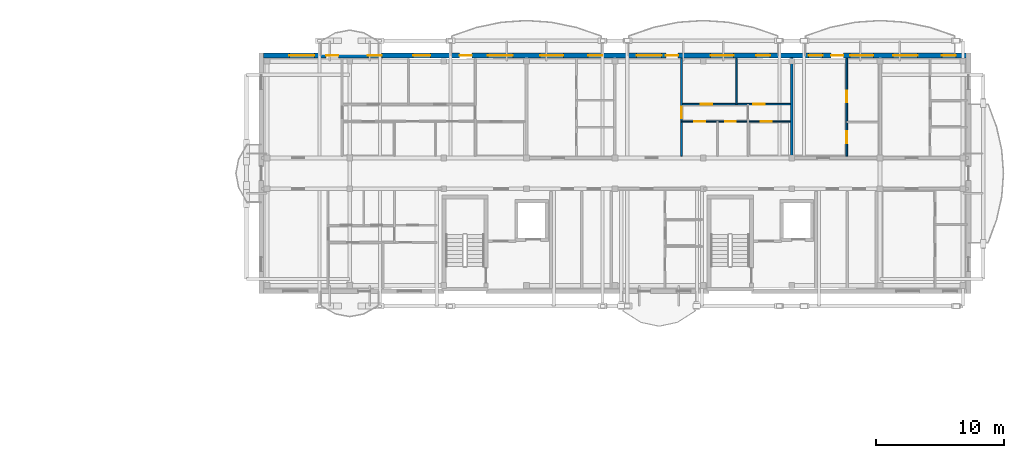
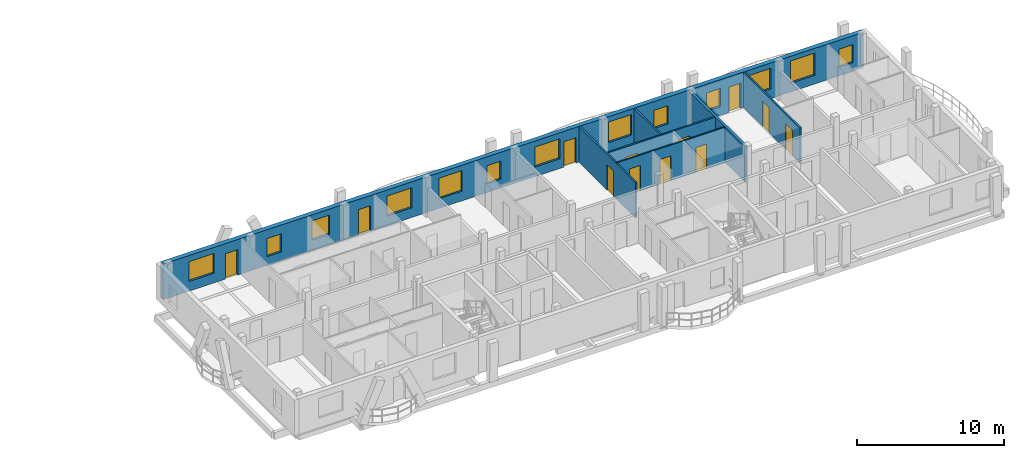
# One storey, part 34 of 48: 13 windows, 12 doors, 7 walls, 25 openings.
"""IFC4 building model written with IfcOpenShell, lengths in metres."""

from ifc_helpers import new_model, si_unit, direction, frame, frame_2d, origin, origin_with_axes, place, context, subcontext, project, spatial, rectangle, extrude, material, layer, layer_set, type_object, element, fill, save


model = new_model("IFC4")

# Units and contexts
model_context = context("Model", 3, precision=1e-05, world=origin(), true_north=direction((0.0, 1.0)))
body_context = subcontext(model_context, "Body", "Model", "MODEL_VIEW")
ifc_project = project(units=[si_unit("LENGTHUNIT", "METRE"), si_unit("AREAUNIT", "SQUARE_METRE"), si_unit("VOLUMEUNIT", "CUBIC_METRE"), si_unit("PLANEANGLEUNIT", "RADIAN"), si_unit("MASSUNIT", "GRAM", prefix="KILO")], contexts=[model_context])

# Site, building, storey
site_placement = place(None, origin())
site = spatial("IfcSite", under=ifc_project, at=site_placement, CompositionType="ELEMENT")
building_placement = place(site_placement, origin())
building = spatial("IfcBuilding", under=site, at=building_placement, Name="Zavelmont Quarter", CompositionType="ELEMENT")
storey_placement = place(building_placement, frame((0.0, 0.0, 17.60009765625)))
storey = spatial("IfcBuildingStorey", under=building, at=storey_placement, Name="L05", CompositionType="ELEMENT", Elevation=17.60009765625)

# Wall, openings, doors, windows
ifc_material_1 = material(Name="Natural Belgian limestone", Category="masonry")
ifc_layer_1 = layer(ifc_material_1, 0.360107421875)
ifc_layer_set_1 = layer_set([ifc_layer_1], Name="Natural Belgian limestone")
wall_type_1 = type_object("IfcWallType", Name="EW02", PredefinedType="STANDARD", material=ifc_layer_set_1)
wall_1_placement = place(storey_placement, frame((112.969970703125, 116.0, 0.0), z_axis=(0.0, 0.0, 1.0), x_axis=(1.0, 0.0, 0.0)))
wall_1 = element("IfcWall", 1, at=wall_1_placement, inside=storey, type_object=wall_type_1, Name="L05 exterior limestone wall EW02", PredefinedType="STANDARD", context=body_context, shape_type="SweptSolid", body=[
    extrude(rectangle(XDim=54.860107421875, YDim=0.360107421875, at=frame_2d((27.43017578125, 0.0))), origin(), (0.0, 0.0, 1.0), 2.949951171875),
])
opening_1_placement = place(wall_1_placement, frame((4.891357421875, 0.0, 0.0)))
opening_1 = element("IfcOpeningElement", 2, at=opening_1_placement, cuts=wall_1, Name="Opening DR04", PredefinedType="OPENING", context=body_context, shape_type="SweptSolid", body=[
    extrude(rectangle(XDim=0.949951171875, YDim=2.10009765625, at=frame_2d((0.47509765625, 1.050048828125))), frame((0.0, 0.19189453125, 0.0), z_axis=(0.0, -1.0, 0.0), x_axis=(1.0, 0.0, 0.0)), (0.0, 0.0, 1.0), 0.384033203125),
])
opening_2_placement = place(wall_1_placement, frame((15.308837890625, 0.0, 0.0)))
opening_2 = element("IfcOpeningElement", 3, at=opening_2_placement, cuts=wall_1, Name="Opening DR04", PredefinedType="OPENING", context=body_context, shape_type="SweptSolid", body=[
    extrude(rectangle(XDim=0.949951171875, YDim=2.10009765625, at=frame_2d((0.47509765625, 1.050048828125))), frame((0.0, 0.19189453125, 0.0), z_axis=(0.0, -1.0, 0.0), x_axis=(1.0, 0.0, 0.0)), (0.0, 0.0, 1.0), 0.384033203125),
])
opening_3_placement = place(wall_1_placement, frame((31.40869140625, 0.0, 0.0)))
opening_3 = element("IfcOpeningElement", 4, at=opening_3_placement, cuts=wall_1, Name="Opening DR04", PredefinedType="OPENING", context=body_context, shape_type="SweptSolid", body=[
    extrude(rectangle(XDim=0.949951171875, YDim=2.10009765625, at=frame_2d((0.47509765625, 1.050048828125))), frame((0.0, 0.19189453125, 0.0), z_axis=(0.0, -1.0, 0.0), x_axis=(1.0, 0.0, 0.0)), (0.0, 0.0, 1.0), 0.384033203125),
])
opening_4_placement = place(wall_1_placement, frame((44.308837890625, 0.0, 0.0)))
opening_4 = element("IfcOpeningElement", 5, at=opening_4_placement, cuts=wall_1, Name="Opening DR04", PredefinedType="OPENING", context=body_context, shape_type="SweptSolid", body=[
    extrude(rectangle(XDim=0.949951171875, YDim=2.10009765625, at=frame_2d((0.47509765625, 1.050048828125))), frame((0.0, 0.19189453125, 0.0), z_axis=(0.0, -1.0, 0.0), x_axis=(1.0, 0.0, 0.0)), (0.0, 0.0, 1.0), 0.384033203125),
])
opening_5_placement = place(wall_1_placement, frame((2.02490234375, 0.0, 0.800048828125)))
opening_5 = element("IfcOpeningElement", 6, at=opening_5_placement, cuts=wall_1, Name="Opening WN24", PredefinedType="OPENING", context=body_context, shape_type="SweptSolid", body=[
    extrude(rectangle(XDim=1.949951171875, YDim=1.64990234375, at=frame_2d((0.97509765625, 0.824951171875))), frame((0.0, 0.19189453125, 0.0), z_axis=(0.0, -1.0, 0.0), x_axis=(1.0, 0.0, 0.0)), (0.0, 0.0, 1.0), 0.384033203125),
])
opening_6_placement = place(wall_1_placement, frame((8.14990234375, 0.0, 0.719970703125)))
opening_6 = element("IfcOpeningElement", 7, at=opening_6_placement, cuts=wall_1, Name="Opening WN09", PredefinedType="OPENING", context=body_context, shape_type="SweptSolid", body=[
    extrude(rectangle(XDim=1.10009765625, YDim=1.5, at=frame_2d((0.550048828125, 0.75))), frame((0.0, 0.19189453125, 0.0), z_axis=(0.0, -1.0, 0.0), x_axis=(1.0, 0.0, 0.0)), (0.0, 0.0, 1.0), 0.384033203125),
])
opening_7_placement = place(wall_1_placement, frame((11.675048828125, 0.0, 0.85009765625)))
opening_7 = element("IfcOpeningElement", 8, at=opening_7_placement, cuts=wall_1, Name="Opening WN08", PredefinedType="OPENING", context=body_context, shape_type="SweptSolid", body=[
    extrude(rectangle(XDim=1.35009765625, YDim=1.60009765625, at=frame_2d((0.675048828125, 0.800048828125))), frame((0.0, 0.19189453125, 0.0), z_axis=(0.0, -1.0, 0.0), x_axis=(1.0, 0.0, 0.0)), (0.0, 0.0, 1.0), 0.384033203125),
])
opening_8_placement = place(wall_1_placement, frame((17.52490234375, 0.0, 0.800048828125)))
opening_8 = element("IfcOpeningElement", 9, at=opening_8_placement, cuts=wall_1, Name="Opening WN24", PredefinedType="OPENING", context=body_context, shape_type="SweptSolid", body=[
    extrude(rectangle(XDim=1.949951171875, YDim=1.64990234375, at=frame_2d((0.97509765625, 0.824951171875))), frame((0.0, 0.19189453125, 0.0), z_axis=(0.0, -1.0, 0.0), x_axis=(1.0, 0.0, 0.0)), (0.0, 0.0, 1.0), 0.384033203125),
])
opening_9_placement = place(wall_1_placement, frame((21.60009765625, 0.0, 0.800048828125)))
opening_9 = element("IfcOpeningElement", 10, at=opening_9_placement, cuts=wall_1, Name="Opening WN02", PredefinedType="OPENING", context=body_context, shape_type="SweptSolid", body=[
    extrude(rectangle(XDim=1.800048828125, YDim=1.699951171875, at=frame_2d((0.89990234375, 0.85009765625))), frame((0.0, 0.19189453125, 0.0), z_axis=(0.0, -1.0, 0.0), x_axis=(1.0, 0.0, 0.0)), (0.0, 0.0, 1.0), 0.384033203125),
])
opening_10_placement = place(wall_1_placement, frame((25.35009765625, 0.0, 0.719970703125)))
opening_10 = element("IfcOpeningElement", 11, at=opening_10_placement, cuts=wall_1, Name="Opening WN09", PredefinedType="OPENING", context=body_context, shape_type="SweptSolid", body=[
    extrude(rectangle(XDim=1.10009765625, YDim=1.5, at=frame_2d((0.550048828125, 0.75))), frame((0.0, 0.19189453125, 0.0), z_axis=(0.0, -1.0, 0.0), x_axis=(1.0, 0.0, 0.0)), (0.0, 0.0, 1.0), 0.384033203125),
])
opening_11_placement = place(wall_1_placement, frame((29.125, 0.0, 0.800048828125)))
opening_11 = element("IfcOpeningElement", 12, at=opening_11_placement, cuts=wall_1, Name="Opening WN24", PredefinedType="OPENING", context=body_context, shape_type="SweptSolid", body=[
    extrude(rectangle(XDim=1.949951171875, YDim=1.64990234375, at=frame_2d((0.97509765625, 0.824951171875))), frame((0.0, 0.19189453125, 0.0), z_axis=(0.0, -1.0, 0.0), x_axis=(1.0, 0.0, 0.0)), (0.0, 0.0, 1.0), 0.384033203125),
])
opening_12_placement = place(wall_1_placement, frame((34.89990234375, 0.0, 0.800048828125)))
opening_12 = element("IfcOpeningElement", 13, at=opening_12_placement, cuts=wall_1, Name="Opening WN02", PredefinedType="OPENING", context=body_context, shape_type="SweptSolid", body=[
    extrude(rectangle(XDim=1.800048828125, YDim=1.699951171875, at=frame_2d((0.89990234375, 0.85009765625))), frame((0.0, 0.19189453125, 0.0), z_axis=(0.0, -1.0, 0.0), x_axis=(1.0, 0.0, 0.0)), (0.0, 0.0, 1.0), 0.384033203125),
])
opening_13_placement = place(wall_1_placement, frame((38.449951171875, 0.0, 0.719970703125)))
opening_13 = element("IfcOpeningElement", 14, at=opening_13_placement, cuts=wall_1, Name="Opening WN09", PredefinedType="OPENING", context=body_context, shape_type="SweptSolid", body=[
    extrude(rectangle(XDim=1.10009765625, YDim=1.5, at=frame_2d((0.550048828125, 0.75))), frame((0.0, 0.19189453125, 0.0), z_axis=(0.0, -1.0, 0.0), x_axis=(1.0, 0.0, 0.0)), (0.0, 0.0, 1.0), 0.384033203125),
])
opening_14_placement = place(wall_1_placement, frame((42.550048828125, 0.0, 0.719970703125)))
opening_14 = element("IfcOpeningElement", 15, at=opening_14_placement, cuts=wall_1, Name="Opening WN09", PredefinedType="OPENING", context=body_context, shape_type="SweptSolid", body=[
    extrude(rectangle(XDim=1.10009765625, YDim=1.5, at=frame_2d((0.550048828125, 0.75))), frame((0.0, 0.19189453125, 0.0), z_axis=(0.0, -1.0, 0.0), x_axis=(1.0, 0.0, 0.0)), (0.0, 0.0, 1.0), 0.384033203125),
])
opening_15_placement = place(wall_1_placement, frame((45.800048828125, 0.0, 0.800048828125)))
opening_15 = element("IfcOpeningElement", 16, at=opening_15_placement, cuts=wall_1, Name="Opening WN02", PredefinedType="OPENING", context=body_context, shape_type="SweptSolid", body=[
    extrude(rectangle(XDim=1.800048828125, YDim=1.699951171875, at=frame_2d((0.89990234375, 0.85009765625))), frame((0.0, 0.19189453125, 0.0), z_axis=(0.0, -1.0, 0.0), x_axis=(1.0, 0.0, 0.0)), (0.0, 0.0, 1.0), 0.384033203125),
])
opening_16_placement = place(wall_1_placement, frame((49.14990234375, 0.0, 0.719970703125)))
opening_16 = element("IfcOpeningElement", 17, at=opening_16_placement, cuts=wall_1, Name="Opening WN20", PredefinedType="OPENING", context=body_context, shape_type="SweptSolid", body=[
    extrude(rectangle(XDim=1.89990234375, YDim=1.85009765625, at=frame_2d((0.949951171875, 0.925048828125))), frame((0.0, 0.19189453125, 0.0), z_axis=(0.0, -1.0, 0.0), x_axis=(1.0, 0.0, 0.0)), (0.0, 0.0, 1.0), 0.384033203125),
])
opening_17_placement = place(wall_1_placement, frame((52.949951171875, 0.0, 0.719970703125)))
opening_17 = element("IfcOpeningElement", 18, at=opening_17_placement, cuts=wall_1, Name="Opening WN09", PredefinedType="OPENING", context=body_context, shape_type="SweptSolid", body=[
    extrude(rectangle(XDim=1.10009765625, YDim=1.5, at=frame_2d((0.550048828125, 0.75))), frame((0.0, 0.19189453125, 0.0), z_axis=(0.0, -1.0, 0.0), x_axis=(1.0, 0.0, 0.0)), (0.0, 0.0, 1.0), 0.384033203125),
])
ifc_material_2 = material(Name="Thermally broken aluminium and double safety glass", Category="aluminium")
door_type_1 = type_object("IfcDoorType", Name="DR04", OperationType="NOTDEFINED", PredefinedType="DOOR", material=ifc_material_2)
door_1_placement = place(opening_1_placement, frame((0.949951171875, 0.0, 0.0), z_axis=(0.0, 0.0, 1.0), x_axis=(-1.0, 0.0, 0.0)))
door_1 = element("IfcDoor", 19, at=door_1_placement, inside=storey, type_object=door_type_1, Name="Block C L05 glazed balcony door", OperationType="SINGLE_SWING_LEFT", OverallHeight=2.10009765625, OverallWidth=0.949951171875, PredefinedType="DOOR", context=body_context, shape_type="SweptSolid", body=[
    extrude(rectangle(XDim=0.949951171875, YDim=2.10009765625, at=frame_2d((0.47509765625, 1.050048828125))), frame((0.0, 0.02490234375, 0.0), z_axis=(0.0, -1.0, 0.0), x_axis=(1.0, 0.0, 0.0)), (0.0, 0.0, 1.0), 0.050048828125),
])
fill(opening_1, door_1)
door_2_placement = place(opening_2_placement, frame((0.949951171875, 0.0, 0.0), z_axis=(0.0, 0.0, 1.0), x_axis=(-1.0, 0.0, 0.0)))
door_2 = element("IfcDoor", 20, at=door_2_placement, inside=storey, type_object=door_type_1, Name="Block C L05 glazed balcony door", OperationType="SINGLE_SWING_LEFT", OverallHeight=2.10009765625, OverallWidth=0.949951171875, PredefinedType="DOOR", context=body_context, shape_type="SweptSolid", body=[
    extrude(rectangle(XDim=0.949951171875, YDim=2.10009765625, at=frame_2d((0.47509765625, 1.050048828125))), frame((0.0, 0.02490234375, 0.0), z_axis=(0.0, -1.0, 0.0), x_axis=(1.0, 0.0, 0.0)), (0.0, 0.0, 1.0), 0.050048828125),
])
fill(opening_2, door_2)
door_3_placement = place(opening_3_placement, frame((0.949951171875, 0.0, 0.0), z_axis=(0.0, 0.0, 1.0), x_axis=(-1.0, 0.0, 0.0)))
door_3 = element("IfcDoor", 21, at=door_3_placement, inside=storey, type_object=door_type_1, Name="Block C L05 glazed balcony door", OperationType="SINGLE_SWING_LEFT", OverallHeight=2.10009765625, OverallWidth=0.949951171875, PredefinedType="DOOR", context=body_context, shape_type="SweptSolid", body=[
    extrude(rectangle(XDim=0.949951171875, YDim=2.10009765625, at=frame_2d((0.47509765625, 1.050048828125))), frame((0.0, 0.02490234375, 0.0), z_axis=(0.0, -1.0, 0.0), x_axis=(1.0, 0.0, 0.0)), (0.0, 0.0, 1.0), 0.050048828125),
])
fill(opening_3, door_3)
door_4_placement = place(opening_4_placement, frame((0.949951171875, 0.0, 0.0), z_axis=(0.0, 0.0, 1.0), x_axis=(-1.0, 0.0, 0.0)))
door_4 = element("IfcDoor", 22, at=door_4_placement, inside=storey, type_object=door_type_1, Name="Block C L05 glazed balcony door", OperationType="SINGLE_SWING_LEFT", OverallHeight=2.10009765625, OverallWidth=0.949951171875, PredefinedType="DOOR", context=body_context, shape_type="SweptSolid", body=[
    extrude(rectangle(XDim=0.949951171875, YDim=2.10009765625, at=frame_2d((0.47509765625, 1.050048828125))), frame((0.0, 0.02490234375, 0.0), z_axis=(0.0, -1.0, 0.0), x_axis=(1.0, 0.0, 0.0)), (0.0, 0.0, 1.0), 0.050048828125),
])
fill(opening_4, door_4)
ifc_material_3 = material(Name="Double low-E insulated glazing in thermally broken aluminium frame", Category="aluminium")
window_type_1 = type_object("IfcWindowType", Name="WN02", PartitioningType="SINGLE_PANEL", PredefinedType="WINDOW", material=ifc_material_3)
window_1_placement = place(opening_9_placement, origin_with_axes())
window_1 = element("IfcWindow", 23, at=window_1_placement, inside=storey, type_object=window_type_1, Name="L05 window WN02", OverallHeight=1.699951171875, OverallWidth=1.800048828125, PartitioningType="SINGLE_PANEL", PredefinedType="WINDOW", context=body_context, shape_type="SweptSolid", body=[
    extrude(rectangle(XDim=1.800048828125, YDim=1.699951171875, at=frame_2d((0.89990234375, 0.85009765625))), frame((0.0, 0.030029296875, 0.0), z_axis=(0.0, -1.0, 0.0), x_axis=(1.0, 0.0, 0.0)), (0.0, 0.0, 1.0), 0.06005859375),
])
fill(opening_9, window_1)
window_2_placement = place(opening_12_placement, origin_with_axes())
window_2 = element("IfcWindow", 24, at=window_2_placement, inside=storey, type_object=window_type_1, Name="L05 window WN02", OverallHeight=1.699951171875, OverallWidth=1.800048828125, PartitioningType="SINGLE_PANEL", PredefinedType="WINDOW", context=body_context, shape_type="SweptSolid", body=[
    extrude(rectangle(XDim=1.800048828125, YDim=1.699951171875, at=frame_2d((0.89990234375, 0.85009765625))), frame((0.0, 0.030029296875, 0.0), z_axis=(0.0, -1.0, 0.0), x_axis=(1.0, 0.0, 0.0)), (0.0, 0.0, 1.0), 0.06005859375),
])
fill(opening_12, window_2)
window_3_placement = place(opening_15_placement, origin_with_axes())
window_3 = element("IfcWindow", 25, at=window_3_placement, inside=storey, type_object=window_type_1, Name="L05 window WN02", OverallHeight=1.699951171875, OverallWidth=1.800048828125, PartitioningType="SINGLE_PANEL", PredefinedType="WINDOW", context=body_context, shape_type="SweptSolid", body=[
    extrude(rectangle(XDim=1.800048828125, YDim=1.699951171875, at=frame_2d((0.89990234375, 0.85009765625))), frame((0.0, 0.030029296875, 0.0), z_axis=(0.0, -1.0, 0.0), x_axis=(1.0, 0.0, 0.0)), (0.0, 0.0, 1.0), 0.06005859375),
])
fill(opening_15, window_3)
window_type_2 = type_object("IfcWindowType", Name="WN08", PartitioningType="SINGLE_PANEL", PredefinedType="WINDOW", material=ifc_material_3)
window_4_placement = place(opening_7_placement, origin_with_axes())
window_4 = element("IfcWindow", 26, at=window_4_placement, inside=storey, type_object=window_type_2, Name="L05 window WN08", OverallHeight=1.60009765625, OverallWidth=1.35009765625, PartitioningType="SINGLE_PANEL", PredefinedType="WINDOW", context=body_context, shape_type="SweptSolid", body=[
    extrude(rectangle(XDim=1.35009765625, YDim=1.60009765625, at=frame_2d((0.675048828125, 0.800048828125))), frame((0.0, 0.030029296875, 0.0), z_axis=(0.0, -1.0, 0.0), x_axis=(1.0, 0.0, 0.0)), (0.0, 0.0, 1.0), 0.06005859375),
])
fill(opening_7, window_4)
window_type_3 = type_object("IfcWindowType", Name="WN09", PartitioningType="SINGLE_PANEL", PredefinedType="WINDOW", material=ifc_material_3)
window_5_placement = place(opening_6_placement, origin_with_axes())
window_5 = element("IfcWindow", 27, at=window_5_placement, inside=storey, type_object=window_type_3, Name="L05 window WN09", OverallHeight=1.5, OverallWidth=1.10009765625, PartitioningType="SINGLE_PANEL", PredefinedType="WINDOW", context=body_context, shape_type="SweptSolid", body=[
    extrude(rectangle(XDim=1.10009765625, YDim=1.5, at=frame_2d((0.550048828125, 0.75))), frame((0.0, 0.030029296875, 0.0), z_axis=(0.0, -1.0, 0.0), x_axis=(1.0, 0.0, 0.0)), (0.0, 0.0, 1.0), 0.06005859375),
])
fill(opening_6, window_5)
window_6_placement = place(opening_10_placement, origin_with_axes())
window_6 = element("IfcWindow", 28, at=window_6_placement, inside=storey, type_object=window_type_3, Name="L05 window WN09", OverallHeight=1.5, OverallWidth=1.10009765625, PartitioningType="SINGLE_PANEL", PredefinedType="WINDOW", context=body_context, shape_type="SweptSolid", body=[
    extrude(rectangle(XDim=1.10009765625, YDim=1.5, at=frame_2d((0.550048828125, 0.75))), frame((0.0, 0.030029296875, 0.0), z_axis=(0.0, -1.0, 0.0), x_axis=(1.0, 0.0, 0.0)), (0.0, 0.0, 1.0), 0.06005859375),
])
fill(opening_10, window_6)
window_7_placement = place(opening_13_placement, origin_with_axes())
window_7 = element("IfcWindow", 29, at=window_7_placement, inside=storey, type_object=window_type_3, Name="L05 window WN09", OverallHeight=1.5, OverallWidth=1.10009765625, PartitioningType="SINGLE_PANEL", PredefinedType="WINDOW", context=body_context, shape_type="SweptSolid", body=[
    extrude(rectangle(XDim=1.10009765625, YDim=1.5, at=frame_2d((0.550048828125, 0.75))), frame((0.0, 0.030029296875, 0.0), z_axis=(0.0, -1.0, 0.0), x_axis=(1.0, 0.0, 0.0)), (0.0, 0.0, 1.0), 0.06005859375),
])
fill(opening_13, window_7)
window_8_placement = place(opening_14_placement, origin_with_axes())
window_8 = element("IfcWindow", 30, at=window_8_placement, inside=storey, type_object=window_type_3, Name="L05 window WN09", OverallHeight=1.5, OverallWidth=1.10009765625, PartitioningType="SINGLE_PANEL", PredefinedType="WINDOW", context=body_context, shape_type="SweptSolid", body=[
    extrude(rectangle(XDim=1.10009765625, YDim=1.5, at=frame_2d((0.550048828125, 0.75))), frame((0.0, 0.030029296875, 0.0), z_axis=(0.0, -1.0, 0.0), x_axis=(1.0, 0.0, 0.0)), (0.0, 0.0, 1.0), 0.06005859375),
])
fill(opening_14, window_8)
window_9_placement = place(opening_17_placement, origin_with_axes())
window_9 = element("IfcWindow", 31, at=window_9_placement, inside=storey, type_object=window_type_3, Name="L05 window WN09", OverallHeight=1.5, OverallWidth=1.10009765625, PartitioningType="SINGLE_PANEL", PredefinedType="WINDOW", context=body_context, shape_type="SweptSolid", body=[
    extrude(rectangle(XDim=1.10009765625, YDim=1.5, at=frame_2d((0.550048828125, 0.75))), frame((0.0, 0.030029296875, 0.0), z_axis=(0.0, -1.0, 0.0), x_axis=(1.0, 0.0, 0.0)), (0.0, 0.0, 1.0), 0.06005859375),
])
fill(opening_17, window_9)
window_type_4 = type_object("IfcWindowType", Name="WN20", PartitioningType="SINGLE_PANEL", PredefinedType="WINDOW", material=ifc_material_3)
window_10_placement = place(opening_16_placement, origin_with_axes())
window_10 = element("IfcWindow", 32, at=window_10_placement, inside=storey, type_object=window_type_4, Name="L05 window WN20", OverallHeight=1.85009765625, OverallWidth=1.89990234375, PartitioningType="SINGLE_PANEL", PredefinedType="WINDOW", context=body_context, shape_type="SweptSolid", body=[
    extrude(rectangle(XDim=1.89990234375, YDim=1.85009765625, at=frame_2d((0.949951171875, 0.925048828125))), frame((0.0, 0.030029296875, 0.0), z_axis=(0.0, -1.0, 0.0), x_axis=(1.0, 0.0, 0.0)), (0.0, 0.0, 1.0), 0.06005859375),
])
fill(opening_16, window_10)
window_type_5 = type_object("IfcWindowType", Name="WN24", PartitioningType="SINGLE_PANEL", PredefinedType="WINDOW", material=ifc_material_3)
window_11_placement = place(opening_5_placement, origin_with_axes())
window_11 = element("IfcWindow", 33, at=window_11_placement, inside=storey, type_object=window_type_5, Name="L05 window WN24", OverallHeight=1.64990234375, OverallWidth=1.949951171875, PartitioningType="SINGLE_PANEL", PredefinedType="WINDOW", context=body_context, shape_type="SweptSolid", body=[
    extrude(rectangle(XDim=1.949951171875, YDim=1.64990234375, at=frame_2d((0.97509765625, 0.824951171875))), frame((0.0, 0.030029296875, 0.0), z_axis=(0.0, -1.0, 0.0), x_axis=(1.0, 0.0, 0.0)), (0.0, 0.0, 1.0), 0.06005859375),
])
fill(opening_5, window_11)
window_12_placement = place(opening_8_placement, origin_with_axes())
window_12 = element("IfcWindow", 34, at=window_12_placement, inside=storey, type_object=window_type_5, Name="L05 window WN24", OverallHeight=1.64990234375, OverallWidth=1.949951171875, PartitioningType="SINGLE_PANEL", PredefinedType="WINDOW", context=body_context, shape_type="SweptSolid", body=[
    extrude(rectangle(XDim=1.949951171875, YDim=1.64990234375, at=frame_2d((0.97509765625, 0.824951171875))), frame((0.0, 0.030029296875, 0.0), z_axis=(0.0, -1.0, 0.0), x_axis=(1.0, 0.0, 0.0)), (0.0, 0.0, 1.0), 0.06005859375),
])
fill(opening_8, window_12)
window_13_placement = place(opening_11_placement, origin_with_axes())
window_13 = element("IfcWindow", 35, at=window_13_placement, inside=storey, type_object=window_type_5, Name="L05 window WN24", OverallHeight=1.64990234375, OverallWidth=1.949951171875, PartitioningType="SINGLE_PANEL", PredefinedType="WINDOW", context=body_context, shape_type="SweptSolid", body=[
    extrude(rectangle(XDim=1.949951171875, YDim=1.64990234375, at=frame_2d((0.97509765625, 0.824951171875))), frame((0.0, 0.030029296875, 0.0), z_axis=(0.0, -1.0, 0.0), x_axis=(1.0, 0.0, 0.0)), (0.0, 0.0, 1.0), 0.06005859375),
])
fill(opening_11, window_13)

# Wall
ifc_material_4 = material(Name="Calcium-silicate blockwork and acoustic plaster", Category="masonry")
ifc_layer_2 = layer(ifc_material_4, 0.199951171875)
ifc_layer_set_2 = layer_set([ifc_layer_2], Name="Calcium-silicate blockwork and acoustic plaster")
wall_type_2 = type_object("IfcWallType", Name="IW01", PredefinedType="PARTITIONING", material=ifc_layer_set_2)
wall_2_placement = place(storey_placement, frame((154.199951171875, 108.14990234375, 0.0), z_axis=(0.0, 0.0, 1.0), x_axis=(0.0, 1.0, 0.0)))
element("IfcWall", 36, at=wall_2_placement, inside=storey, type_object=wall_type_2, Name="L05 Inter-dwelling compartment wall IW01", PredefinedType="PARTITIONING", context=body_context, shape_type="SweptSolid", body=[
    extrude(rectangle(XDim=7.7001953125, YDim=0.199951171875, at=frame_2d((3.85009765625, 0.0))), origin(), (0.0, 0.0, 1.0), 2.949951171875),
])

# Wall, opening, door
ifc_material_5 = material(Name="Double gypsum board on acoustic steel stud", Category="steel")
ifc_layer_3 = layer(ifc_material_5, 0.125)
ifc_layer_set_3 = layer_set([ifc_layer_3], Name="Double gypsum board on acoustic steel stud")
wall_type_3 = type_object("IfcWallType", Name="IW03", PredefinedType="PARTITIONING", material=ifc_layer_set_3)
wall_3_placement = place(storey_placement, frame((145.60009765625, 108.14990234375, 0.0), z_axis=(0.0, 0.0, 1.0), x_axis=(0.0, 1.0, 0.0)))
wall_3 = element("IfcWall", 37, at=wall_3_placement, inside=storey, type_object=wall_type_3, Name="L05 Partition IW03", PredefinedType="PARTITIONING", context=body_context, shape_type="SweptSolid", body=[
    extrude(rectangle(XDim=7.650146484375, YDim=0.125, at=frame_2d((3.8251953125, 0.0))), origin(), (0.0, 0.0, 1.0), 2.949951171875),
])
opening_18_placement = place(wall_3_placement, frame((2.949951171875, 0.0, 0.0)))
opening_18 = element("IfcOpeningElement", 38, at=opening_18_placement, cuts=wall_3, Name="Opening DR05", PredefinedType="OPENING", context=body_context, shape_type="SweptSolid", body=[
    extrude(rectangle(XDim=0.89990234375, YDim=2.10009765625, at=frame_2d((0.449951171875, 1.050048828125))), frame((0.0, 0.074462890625, 0.0), z_axis=(0.0, -1.0, 0.0), x_axis=(1.0, 0.0, 0.0)), (0.0, 0.0, 1.0), 0.14892578125),
])
ifc_material_6 = material(Name="Engineered oak flush interior door")
door_type_2 = type_object("IfcDoorType", Name="DR05", OperationType="NOTDEFINED", PredefinedType="DOOR", material=ifc_material_6)
door_5_placement = place(opening_18_placement, frame((0.89990234375, 0.0, 0.0), z_axis=(0.0, 0.0, 1.0), x_axis=(-1.0, 0.0, 0.0)))
door_5 = element("IfcDoor", 39, at=door_5_placement, inside=storey, type_object=door_type_2, Name="L05 door DR05", OperationType="SINGLE_SWING_RIGHT", OverallHeight=2.10009765625, OverallWidth=0.89990234375, PredefinedType="DOOR", context=body_context, shape_type="SweptSolid", body=[
    extrude(rectangle(XDim=0.89990234375, YDim=2.10009765625, at=frame_2d((0.449951171875, 1.050048828125))), frame((0.0, 0.02490234375, 0.0), z_axis=(0.0, -1.0, 0.0), x_axis=(1.0, 0.0, 0.0)), (0.0, 0.0, 1.0), 0.050048828125),
])
fill(opening_18, door_5)

# Wall
wall_4_placement = place(storey_placement, frame((149.89990234375, 112.199951171875, 0.0), z_axis=(0.0, 0.0, 1.0), x_axis=(0.0, 1.0, 0.0)))
element("IfcWall", 40, at=wall_4_placement, inside=storey, type_object=wall_type_3, Name="L05 Partition IW03", PredefinedType="PARTITIONING", context=body_context, shape_type="SweptSolid", body=[
    extrude(rectangle(XDim=3.60009765625, YDim=0.125, at=frame_2d((1.800048828125, 0.0))), origin(), (0.0, 0.0, 1.0), 2.949951171875),
])

# Wall, openings, doors
wall_5_placement = place(storey_placement, frame((145.60009765625, 112.199951171875, 0.0), z_axis=(0.0, 0.0, 1.0), x_axis=(1.0, 0.0, 0.0)))
wall_5 = element("IfcWall", 41, at=wall_5_placement, inside=storey, type_object=wall_type_3, Name="L05 Partition IW03", PredefinedType="PARTITIONING", context=body_context, shape_type="SweptSolid", body=[
    extrude(rectangle(XDim=8.5, YDim=0.125, at=frame_2d((4.25, 0.0))), origin(), (0.0, 0.0, 1.0), 2.949951171875),
])
opening_19_placement = place(wall_5_placement, frame((1.5, 0.0, 0.0)))
opening_19 = element("IfcOpeningElement", 42, at=opening_19_placement, cuts=wall_5, Name="Opening DR05", PredefinedType="OPENING", context=body_context, shape_type="SweptSolid", body=[
    extrude(rectangle(XDim=0.89990234375, YDim=2.10009765625, at=frame_2d((0.449951171875, 1.050048828125))), frame((0.0, 0.074462890625, 0.0), z_axis=(0.0, -1.0, 0.0), x_axis=(1.0, 0.0, 0.0)), (0.0, 0.0, 1.0), 0.14892578125),
])
opening_20_placement = place(wall_5_placement, frame((5.60009765625, 0.0, 0.0)))
opening_20 = element("IfcOpeningElement", 43, at=opening_20_placement, cuts=wall_5, Name="Opening DR05", PredefinedType="OPENING", context=body_context, shape_type="SweptSolid", body=[
    extrude(rectangle(XDim=0.89990234375, YDim=2.10009765625, at=frame_2d((0.449951171875, 1.050048828125))), frame((0.0, 0.074462890625, 0.0), z_axis=(0.0, -1.0, 0.0), x_axis=(1.0, 0.0, 0.0)), (0.0, 0.0, 1.0), 0.14892578125),
])
door_6_placement = place(opening_19_placement, origin_with_axes())
door_6 = element("IfcDoor", 44, at=door_6_placement, inside=storey, type_object=door_type_2, Name="L05 door DR05", OperationType="SINGLE_SWING_LEFT", OverallHeight=2.10009765625, OverallWidth=0.89990234375, PredefinedType="DOOR", context=body_context, shape_type="SweptSolid", body=[
    extrude(rectangle(XDim=0.89990234375, YDim=2.10009765625, at=frame_2d((0.449951171875, 1.050048828125))), frame((0.0, 0.02490234375, 0.0), z_axis=(0.0, -1.0, 0.0), x_axis=(1.0, 0.0, 0.0)), (0.0, 0.0, 1.0), 0.050048828125),
])
fill(opening_19, door_6)
door_7_placement = place(opening_20_placement, frame((0.89990234375, 0.0, 0.0), z_axis=(0.0, 0.0, 1.0), x_axis=(-1.0, 0.0, 0.0)))
door_7 = element("IfcDoor", 45, at=door_7_placement, inside=storey, type_object=door_type_2, Name="L05 door DR05", OperationType="SINGLE_SWING_RIGHT", OverallHeight=2.10009765625, OverallWidth=0.89990234375, PredefinedType="DOOR", context=body_context, shape_type="SweptSolid", body=[
    extrude(rectangle(XDim=0.89990234375, YDim=2.10009765625, at=frame_2d((0.449951171875, 1.050048828125))), frame((0.0, 0.02490234375, 0.0), z_axis=(0.0, -1.0, 0.0), x_axis=(1.0, 0.0, 0.0)), (0.0, 0.0, 1.0), 0.050048828125),
])
fill(opening_20, door_7)

wall_6_placement = place(storey_placement, frame((158.5, 108.14990234375, 0.0), z_axis=(0.0, 0.0, 1.0), x_axis=(0.0, 1.0, 0.0)))
wall_6 = element("IfcWall", 46, at=wall_6_placement, inside=storey, type_object=wall_type_3, Name="L05 Partition IW03", PredefinedType="PARTITIONING", context=body_context, shape_type="SweptSolid", body=[
    extrude(rectangle(XDim=7.650146484375, YDim=0.125, at=frame_2d((3.8251953125, 0.0))), origin(), (0.0, 0.0, 1.0), 2.949951171875),
])
opening_21_placement = place(wall_6_placement, frame((1.0, 0.0, 0.0)))
opening_21 = element("IfcOpeningElement", 47, at=opening_21_placement, cuts=wall_6, Name="Opening DR17", PredefinedType="OPENING", context=body_context, shape_type="SweptSolid", body=[
    extrude(rectangle(XDim=0.949951171875, YDim=2.10009765625, at=frame_2d((0.47509765625, 1.050048828125))), frame((0.0, 0.074462890625, 0.0), z_axis=(0.0, -1.0, 0.0), x_axis=(1.0, 0.0, 0.0)), (0.0, 0.0, 1.0), 0.14892578125),
])
opening_22_placement = place(wall_6_placement, frame((4.199951171875, 0.0, 0.0)))
opening_22 = element("IfcOpeningElement", 48, at=opening_22_placement, cuts=wall_6, Name="Opening DR05", PredefinedType="OPENING", context=body_context, shape_type="SweptSolid", body=[
    extrude(rectangle(XDim=0.89990234375, YDim=2.10009765625, at=frame_2d((0.449951171875, 1.050048828125))), frame((0.0, 0.074462890625, 0.0), z_axis=(0.0, -1.0, 0.0), x_axis=(1.0, 0.0, 0.0)), (0.0, 0.0, 1.0), 0.14892578125),
])
door_8_placement = place(opening_22_placement, origin_with_axes())
door_8 = element("IfcDoor", 49, at=door_8_placement, inside=storey, type_object=door_type_2, Name="L05 door DR05", OperationType="SINGLE_SWING_RIGHT", OverallHeight=2.10009765625, OverallWidth=0.89990234375, PredefinedType="DOOR", context=body_context, shape_type="SweptSolid", body=[
    extrude(rectangle(XDim=0.89990234375, YDim=2.10009765625, at=frame_2d((0.449951171875, 1.050048828125))), frame((0.0, 0.02490234375, 0.0), z_axis=(0.0, -1.0, 0.0), x_axis=(1.0, 0.0, 0.0)), (0.0, 0.0, 1.0), 0.050048828125),
])
fill(opening_22, door_8)
ifc_material_7 = material(Name="Accessible washroom flush door")
door_type_3 = type_object("IfcDoorType", Name="DR17", OperationType="NOTDEFINED", PredefinedType="DOOR", material=ifc_material_7)
door_9_placement = place(opening_21_placement, frame((0.949951171875, 0.0, 0.0), z_axis=(0.0, 0.0, 1.0), x_axis=(-1.0, 0.0, 0.0)))
door_9 = element("IfcDoor", 50, at=door_9_placement, inside=storey, type_object=door_type_3, Name="L05 door DR17", OperationType="SINGLE_SWING_LEFT", OverallHeight=2.10009765625, OverallWidth=0.949951171875, PredefinedType="DOOR", context=body_context, shape_type="SweptSolid", body=[
    extrude(rectangle(XDim=0.949951171875, YDim=2.10009765625, at=frame_2d((0.47509765625, 1.050048828125))), frame((0.0, 0.02490234375, 0.0), z_axis=(0.0, -1.0, 0.0), x_axis=(1.0, 0.0, 0.0)), (0.0, 0.0, 1.0), 0.050048828125),
])
fill(opening_21, door_9)

ifc_material_8 = material(Name="Moisture-resistant gypsum board on steel stud", Category="steel")
ifc_layer_4 = layer(ifc_material_8, 0.10009765625)
ifc_layer_set_4 = layer_set([ifc_layer_4], Name="Moisture-resistant gypsum board on steel stud")
wall_type_4 = type_object("IfcWallType", Name="IW04", PredefinedType="PARTITIONING", material=ifc_layer_set_4)
wall_7_placement = place(storey_placement, frame((145.60009765625, 110.85009765625, 0.0), z_axis=(0.0, 0.0, 1.0), x_axis=(1.0, 0.0, 0.0)))
wall_7 = element("IfcWall", 51, at=wall_7_placement, inside=storey, type_object=wall_type_4, Name="L05 Partition IW04", PredefinedType="PARTITIONING", context=body_context, shape_type="SweptSolid", body=[
    extrude(rectangle(XDim=8.5, YDim=0.10009765625, at=frame_2d((4.25, 0.0))), origin(), (0.0, 0.0, 1.0), 2.949951171875),
])
opening_23_placement = place(wall_7_placement, frame((1.0, 0.0, 0.0)))
opening_23 = element("IfcOpeningElement", 52, at=opening_23_placement, cuts=wall_7, Name="Opening DR16", PredefinedType="OPENING", context=body_context, shape_type="SweptSolid", body=[
    extrude(rectangle(XDim=0.85009765625, YDim=2.10009765625, at=frame_2d((0.425048828125, 1.050048828125))), frame((0.0, 0.06201171875, 0.0), z_axis=(0.0, -1.0, 0.0), x_axis=(1.0, 0.0, 0.0)), (0.0, 0.0, 1.0), 0.1240234375),
])
opening_24_placement = place(wall_7_placement, frame((3.39990234375, 0.0, 0.0)))
opening_24 = element("IfcOpeningElement", 53, at=opening_24_placement, cuts=wall_7, Name="Opening DR06", PredefinedType="OPENING", context=body_context, shape_type="SweptSolid", body=[
    extrude(rectangle(XDim=0.85009765625, YDim=2.050048828125, at=frame_2d((0.425048828125, 1.02490234375))), frame((0.0, 0.06201171875, 0.0), z_axis=(0.0, -1.0, 0.0), x_axis=(1.0, 0.0, 0.0)), (0.0, 0.0, 1.0), 0.1240234375),
])
opening_25_placement = place(wall_7_placement, frame((6.199951171875, 0.0, 0.0)))
opening_25 = element("IfcOpeningElement", 54, at=opening_25_placement, cuts=wall_7, Name="Opening DR06", PredefinedType="OPENING", context=body_context, shape_type="SweptSolid", body=[
    extrude(rectangle(XDim=0.85009765625, YDim=2.050048828125, at=frame_2d((0.425048828125, 1.02490234375))), frame((0.0, 0.06201171875, 0.0), z_axis=(0.0, -1.0, 0.0), x_axis=(1.0, 0.0, 0.0)), (0.0, 0.0, 1.0), 0.1240234375),
])
ifc_material_9 = material(Name="Moisture-resistant painted wet-room door")
door_type_4 = type_object("IfcDoorType", Name="DR06", OperationType="NOTDEFINED", PredefinedType="DOOR", material=ifc_material_9)
door_10_placement = place(opening_24_placement, origin_with_axes())
door_10 = element("IfcDoor", 55, at=door_10_placement, inside=storey, type_object=door_type_4, Name="L05 door DR06", OperationType="SINGLE_SWING_LEFT", OverallHeight=2.050048828125, OverallWidth=0.85009765625, PredefinedType="DOOR", context=body_context, shape_type="SweptSolid", body=[
    extrude(rectangle(XDim=0.85009765625, YDim=2.050048828125, at=frame_2d((0.425048828125, 1.02490234375))), frame((0.0, 0.02490234375, 0.0), z_axis=(0.0, -1.0, 0.0), x_axis=(1.0, 0.0, 0.0)), (0.0, 0.0, 1.0), 0.050048828125),
])
fill(opening_24, door_10)
door_11_placement = place(opening_25_placement, frame((0.85009765625, 0.0, 0.0), z_axis=(0.0, 0.0, 1.0), x_axis=(-1.0, 0.0, 0.0)))
door_11 = element("IfcDoor", 56, at=door_11_placement, inside=storey, type_object=door_type_4, Name="L05 door DR06", OperationType="SINGLE_SWING_RIGHT", OverallHeight=2.050048828125, OverallWidth=0.85009765625, PredefinedType="DOOR", context=body_context, shape_type="SweptSolid", body=[
    extrude(rectangle(XDim=0.85009765625, YDim=2.050048828125, at=frame_2d((0.425048828125, 1.02490234375))), frame((0.0, 0.02490234375, 0.0), z_axis=(0.0, -1.0, 0.0), x_axis=(1.0, 0.0, 0.0)), (0.0, 0.0, 1.0), 0.050048828125),
])
fill(opening_25, door_11)
door_type_5 = type_object("IfcDoorType", Name="DR16", OperationType="NOTDEFINED", PredefinedType="DOOR", material=ifc_material_6)
door_12_placement = place(opening_23_placement, frame((0.85009765625, 0.0, 0.0), z_axis=(0.0, 0.0, 1.0), x_axis=(-1.0, 0.0, 0.0)))
door_12 = element("IfcDoor", 57, at=door_12_placement, inside=storey, type_object=door_type_5, Name="L05 door DR16", OperationType="SINGLE_SWING_RIGHT", OverallHeight=2.10009765625, OverallWidth=0.85009765625, PredefinedType="DOOR", context=body_context, shape_type="SweptSolid", body=[
    extrude(rectangle(XDim=0.85009765625, YDim=2.10009765625, at=frame_2d((0.425048828125, 1.050048828125))), frame((0.0, 0.02490234375, 0.0), z_axis=(0.0, -1.0, 0.0), x_axis=(1.0, 0.0, 0.0)), (0.0, 0.0, 1.0), 0.050048828125),
])
fill(opening_23, door_12)

save(model, "model.ifc")
